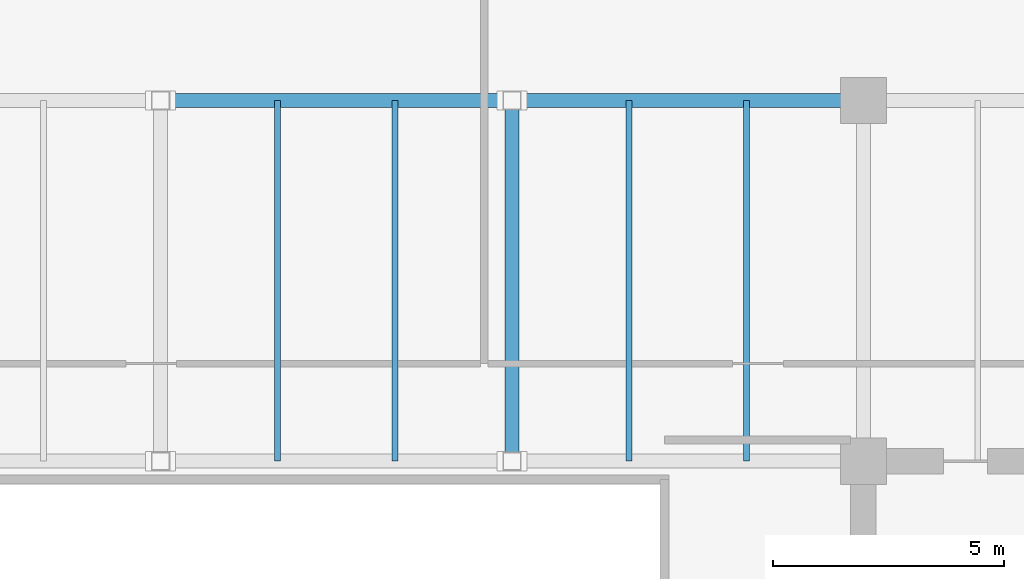
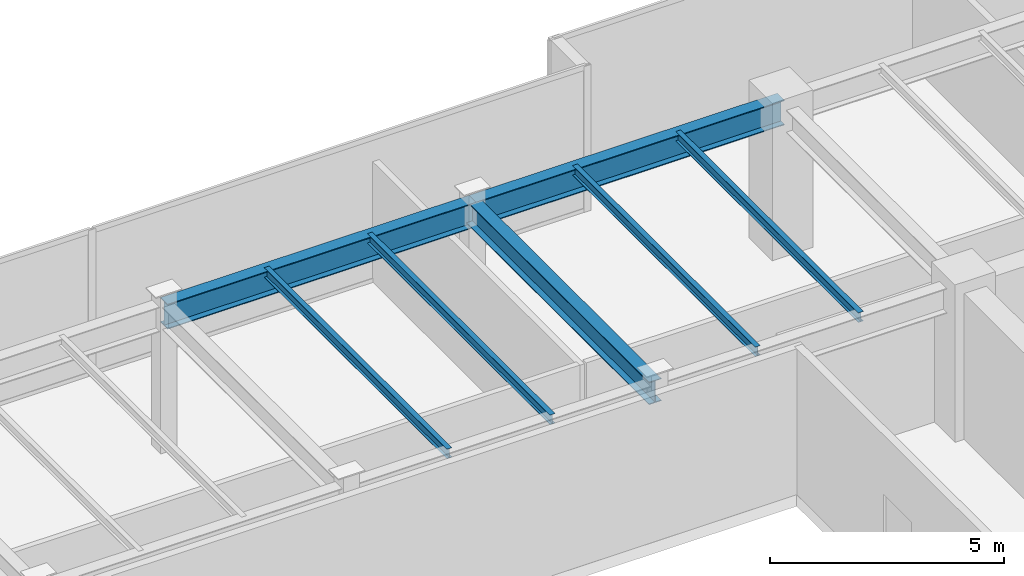
# One storey, part 18 of 33: 7 beams.
"""IFC4 building model written with IfcOpenShell, lengths in metres."""

from ifc_helpers import new_model, si_unit, direction, frame, origin, origin_2d, place, context, subcontext, project, spatial, i_section, extrude, source, transform, mapped, material, material_profile, profile_set, type_object, type_shapes, element, save


model = new_model("IFC4")

# Units and contexts
model_context = context("Model", 3, precision=1e-05, world=origin(), true_north=direction((0.0, 1.0)))
body_context = subcontext(model_context, "Body", "Model", "MODEL_VIEW")
ifc_project = project(units=[si_unit("LENGTHUNIT", "METRE"), si_unit("AREAUNIT", "SQUARE_METRE"), si_unit("VOLUMEUNIT", "CUBIC_METRE"), si_unit("PLANEANGLEUNIT", "RADIAN"), si_unit("MASSUNIT", "GRAM", prefix="KILO")], contexts=[model_context])

# Site, building, storey
site_placement = place(None, origin())
site = spatial("IfcSite", under=ifc_project, at=site_placement, CompositionType="ELEMENT")
building_placement = place(site_placement, origin())
building = spatial("IfcBuilding", under=site, at=building_placement, Name="Haelvirn Gate Laboratories", CompositionType="ELEMENT")
storey_placement = place(building_placement, frame((0.0, 0.0, 287.5)))
storey = spatial("IfcBuildingStorey", under=building, at=storey_placement, Name="L69", CompositionType="ELEMENT", Elevation=287.5)

# Beams
ifc_material = material(Name="Steel SM355", Category="steel")
ifc_material_profile_1 = material_profile(ifc_material, i_section(OverallWidth=0.300048828125, OverallDepth=0.587890625, WebThickness=0.011962890625, FlangeThickness=0.02001953125, at=origin_2d()), Name="H-588x300x12x20")
ifc_profile_set_1 = profile_set([ifc_material_profile_1], Name="Steel SM355")
beam_type_1 = type_object("IfcBeamType", Name="BM-G-588", PredefinedType="BEAM", material=ifc_profile_set_1)
shared_shape_1 = source(origin(), body_context, "Body", "SweptSolid", [
    extrude(i_section(OverallWidth=0.300048828125, OverallDepth=0.587890625, WebThickness=0.011962890625, FlangeThickness=0.02001953125, at=origin_2d()), origin(), (0.0, 0.0, 1.0), 7.800048828125),
])
type_shapes(beam_type_1, [shared_shape_1])
beam_placement = place(storey_placement, frame((45.0, 33.800048828125, 3.506103515625), z_axis=(0.0, 1.0, 0.0), x_axis=(-1.0, 0.0, 0.0)))
element("IfcBeam", 1, at=beam_placement, inside=storey, type_object=beam_type_1, Name="L69 Frame Girder X45.0 (33.8-41.6)", PredefinedType="BEAM", context=body_context, shape_type="MappedRepresentation", body=[
    mapped(shared_shape_1, transform((0.0, 0.0, 0.0), scale=1.0)),
])
ifc_material_profile_2 = material_profile(ifc_material, i_section(OverallWidth=0.300048828125, OverallDepth=0.64990234375, WebThickness=0.012939453125, FlangeThickness=0.02197265625, at=origin_2d()), Name="H-650x300x13x22")
ifc_profile_set_2 = profile_set([ifc_material_profile_2], Name="Steel SM355")
beam_type_2 = type_object("IfcBeamType", Name="BM-G-650", PredefinedType="BEAM", material=ifc_profile_set_2)
shared_shape_2 = source(origin(), body_context, "Body", "SweptSolid", [
    extrude(i_section(OverallWidth=0.300048828125, OverallDepth=0.64990234375, WebThickness=0.012939453125, FlangeThickness=0.02197265625, at=origin_2d()), origin(), (0.0, 0.0, 1.0), 7.60009765625),
])
type_shapes(beam_type_2, [shared_shape_2])
for number, where, z_axis, x_axis, name in (
    (2, (37.39990234375, 41.60009765625, 3.47509765625), (1.0, 0.0, 0.0), (0.0, 1.0, 0.0), "L69 Primary Girder Y41.6 (37.4-45.0)"),
    (3, (45.0, 41.60009765625, 3.47509765625), (1.0, 0.0, 0.0), (0.0, 1.0, 0.0), "L69 Primary Girder Y41.6 (45.0-52.6)"),
):
    element("IfcBeam", number, at=place(storey_placement, frame(where, z_axis=z_axis, x_axis=x_axis)), inside=storey, type_object=beam_type_2, Name=name, PredefinedType="BEAM", context=body_context, shape_type="MappedRepresentation", body=[
        mapped(shared_shape_2, transform((0.0, 0.0, 0.0), scale=1.0)),
    ])
ifc_material_profile_3 = material_profile(ifc_material, i_section(OverallWidth=0.125, OverallDepth=0.25, WebThickness=0.006103515625, FlangeThickness=0.009033203125, at=origin_2d()), Name="H-250x125x6x9")
ifc_profile_set_3 = profile_set([ifc_material_profile_3], Name="Steel SM355")
beam_type_3 = type_object("IfcBeamType", Name="BM-J-250", PredefinedType="JOIST", material=ifc_profile_set_3)
shared_shape_3 = source(origin(), body_context, "Body", "SweptSolid", [
    extrude(i_section(OverallWidth=0.125, OverallDepth=0.25, WebThickness=0.006103515625, FlangeThickness=0.009033203125, at=origin_2d()), origin(), (0.0, 0.0, 1.0), 7.800048828125),
])
type_shapes(beam_type_3, [shared_shape_3])
for number, where, z_axis, x_axis, name in (
    (4, (39.929931640625, 33.800048828125, 3.675048828125), (0.0, 1.0, 0.0), (-1.0, 0.0, 0.0), "L69 Composite Lab Joist North X39.93"),
    (5, (42.469970703125, 33.800048828125, 3.675048828125), (0.0, 1.0, 0.0), (-1.0, 0.0, 0.0), "L69 Composite Lab Joist North X42.47"),
    (6, (47.530029296875, 33.800048828125, 3.675048828125), (0.0, 1.0, 0.0), (-1.0, 0.0, 0.0), "L69 Composite Lab Joist North X47.53"),
    (7, (50.070068359375, 33.800048828125, 3.675048828125), (0.0, 1.0, 0.0), (-1.0, 0.0, 0.0), "L69 Composite Lab Joist North X50.07"),
):
    element("IfcBeam", number, at=place(storey_placement, frame(where, z_axis=z_axis, x_axis=x_axis)), inside=storey, type_object=beam_type_3, Name=name, PredefinedType="JOIST", context=body_context, shape_type="MappedRepresentation", body=[
        mapped(shared_shape_3, transform((0.0, 0.0, 0.0), scale=1.0)),
    ])

save(model, "model.ifc")
